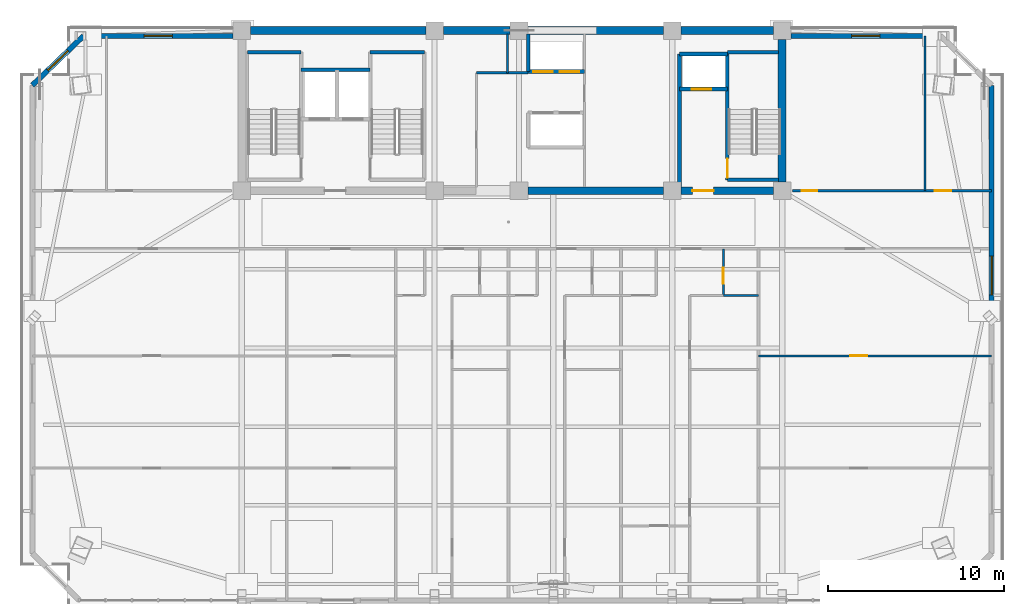
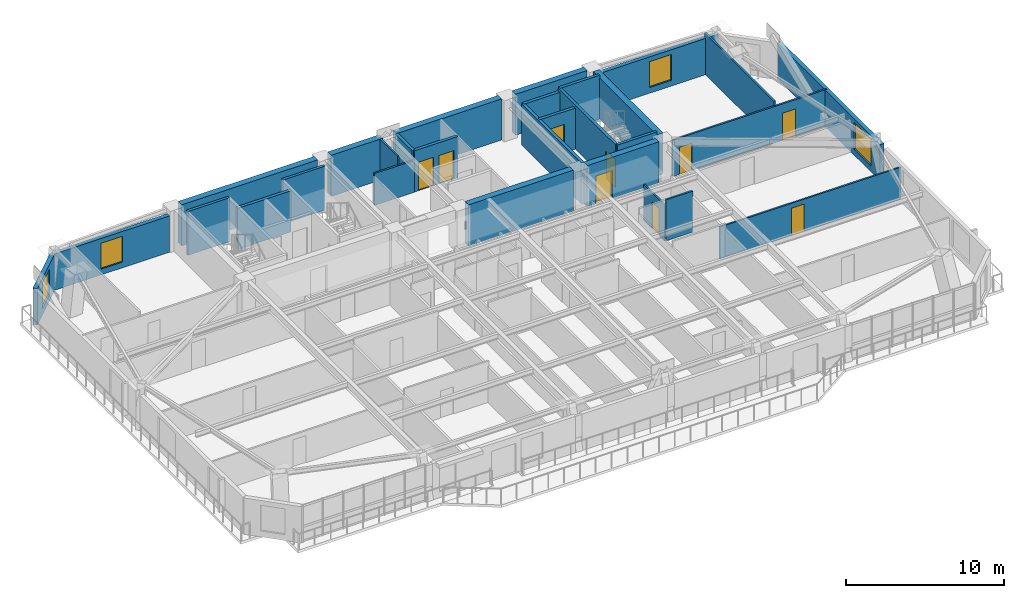
# One storey, part 11 of 18: 29 walls, 9 doors, 4 windows, 13 openings.
"""IFC4 building model written with IfcOpenShell, lengths in metres."""

from ifc_helpers import new_model, si_unit, direction, frame, frame_2d, origin, place, context, subcontext, project, spatial, rectangle, extrude, source, transform, mapped, material, layer, layer_set, type_object, element, fill, save


model = new_model("IFC4")

# Units and contexts
model_context = context("Model", 3, precision=1e-05, world=origin(), true_north=direction((0.0, 1.0)))
body_context = subcontext(model_context, "Body", "Model", "MODEL_VIEW")
ifc_project = project(units=[si_unit("LENGTHUNIT", "METRE"), si_unit("AREAUNIT", "SQUARE_METRE"), si_unit("VOLUMEUNIT", "CUBIC_METRE"), si_unit("PLANEANGLEUNIT", "RADIAN"), si_unit("MASSUNIT", "GRAM", prefix="KILO")], contexts=[model_context])

# Site, building, storey
site_placement = place(None, origin())
site = spatial("IfcSite", under=ifc_project, at=site_placement, CompositionType="ELEMENT")
building_placement = place(site_placement, origin())
building = spatial("IfcBuilding", under=site, at=building_placement, Name="Giltprow Tower", CompositionType="ELEMENT")
storey_placement = place(building_placement, frame((0.0, 0.0, 245.10009765625)))
storey = spatial("IfcBuildingStorey", under=building, at=storey_placement, Name="L62", CompositionType="ELEMENT", Elevation=245.10009765625)

# Wall, opening, window
ifc_material_1 = material(Name="Precast concrete C40", Category="concrete")
ifc_layer_1 = layer(ifc_material_1, 0.300048828125, Name="Precast concrete C40")
ifc_layer_set_1 = layer_set([ifc_layer_1], Name="Precast concrete C40")
wall_type_1 = type_object("IfcWallType", Name="EW-NOTCH-CHAMFER-300", PredefinedType="SOLIDWALL", material=ifc_layer_set_1)
wall_1_placement = place(storey_placement, frame((10.85888671875, 46.25, 0.0), z_axis=(0.0, 0.0, 1.0), x_axis=(-0.719337004509, -0.694661265614, 0.0)))
wall_1 = element("IfcWall", 1, at=wall_1_placement, inside=storey, type_object=wall_type_1, Name="L62 Corner Notch Wall NW", PredefinedType="SOLIDWALL", context=body_context, shape_type="SweptSolid", body=[
    extrude(rectangle(XDim=4.046630859375, YDim=0.300048828125, at=frame_2d((2.0234375, 0.0))), origin(), (0.0, 0.0, 1.0), 2.81494140625),
])
opening_1_placement = place(wall_1_placement, frame((1.222900390625, 0.0, 0.449951171875)))
opening_1 = element("IfcOpeningElement", 2, at=opening_1_placement, cuts=wall_1, Name="Opening WN17", PredefinedType="OPENING", context=body_context, shape_type="SweptSolid", body=[
    extrude(rectangle(XDim=1.60009765625, YDim=2.0, at=frame_2d((0.800048828125, 1.0))), frame((0.0, 0.159912109375, 0.0), z_axis=(0.0, -1.0, 0.0), x_axis=(1.0, 0.0, 0.0)), (0.0, 0.0, 1.0), 0.320068359375),
])
ifc_material_2 = material(Name="Insulated glass", Category="glass")
window_type_1 = type_object("IfcWindowType", Name="WN-COR-1600x2000", PartitioningType="SINGLE_PANEL", PredefinedType="WINDOW", material=ifc_material_2)
shared_shape_1 = source(origin(), body_context, "Body", "SweptSolid", [
    extrude(rectangle(XDim=1.60009765625, YDim=2.0, at=frame_2d((0.800048828125, 1.0))), frame((0.0, 0.030029296875, 0.0), z_axis=(0.0, -1.0, 0.0), x_axis=(1.0, 0.0, 0.0)), (0.0, 0.0, 1.0), 0.06005859375),
])
window_1_placement = place(opening_1_placement, origin())
window_1 = element("IfcWindow", 3, at=window_1_placement, inside=storey, type_object=window_type_1, Name="L62 Corner Notch Window NW", OverallHeight=2.0, OverallWidth=1.60009765625, PartitioningType="SINGLE_PANEL", PredefinedType="WINDOW", context=body_context, shape_type="MappedRepresentation", body=[
    mapped(shared_shape_1, transform((0.0, 0.0, 0.0), x_axis=(1.0, 0.0, 0.0), y_axis=(0.0, 1.0, 0.0), z_axis=(0.0, 0.0, 1.0), scale=1.0)),
])
fill(opening_1, window_1)

ifc_layer_2 = layer(ifc_material_1, 0.280029296875, Name="Precast concrete C40")
ifc_layer_set_2 = layer_set([ifc_layer_2], Name="Precast concrete C40")
wall_type_2 = type_object("IfcWallType", Name="EW-TOW-BRONZE-280", PredefinedType="SOLIDWALL", material=ifc_layer_set_2)
wall_2_placement = place(storey_placement, frame((62.451904296875, 30.39111328125, 0.0), z_axis=(0.0, 0.0, 1.0), x_axis=(0.0, 1.0, 0.0)))
wall_2 = element("IfcWall", 4, at=wall_2_placement, inside=storey, type_object=wall_type_2, Name="L62 E Wing Masonry Wall 2", PredefinedType="SOLIDWALL", context=body_context, shape_type="SweptSolid", body=[
    extrude(rectangle(XDim=13.0478515625, YDim=0.280029296875, at=frame_2d((6.52392578125, 0.0))), origin(), (0.0, 0.0, 1.0), 2.81494140625),
])
opening_2_placement = place(wall_2_placement, frame((1.14404296875, 0.0, 0.449951171875)))
opening_2 = element("IfcOpeningElement", 5, at=opening_2_placement, cuts=wall_2, Name="Opening WN27", PredefinedType="OPENING", context=body_context, shape_type="SweptSolid", body=[
    extrude(rectangle(XDim=2.199951171875, YDim=2.10009765625, at=frame_2d((1.10009765625, 1.050048828125))), frame((0.0, 0.14990234375, 0.0), z_axis=(0.0, -1.0, 0.0), x_axis=(1.0, 0.0, 0.0)), (0.0, 0.0, 1.0), 0.300048828125),
])
window_type_2 = type_object("IfcWindowType", Name="WN-RES-2200x2100", PartitioningType="TRIPLE_PANEL_VERTICAL", PredefinedType="WINDOW", material=ifc_material_2)
shared_shape_2 = source(origin(), body_context, "Body", "SweptSolid", [
    extrude(rectangle(XDim=2.199951171875, YDim=2.10009765625, at=frame_2d((1.10009765625, 1.050048828125))), frame((0.0, 0.030029296875, 0.0), z_axis=(0.0, -1.0, 0.0), x_axis=(1.0, 0.0, 0.0)), (0.0, 0.0, 1.0), 0.06005859375),
])
window_2_placement = place(opening_2_placement, origin())
window_2 = element("IfcWindow", 6, at=window_2_placement, inside=storey, type_object=window_type_2, Name="L62 E Wing Window 2-1", OverallHeight=2.10009765625, OverallWidth=2.199951171875, PartitioningType="SINGLE_PANEL", PredefinedType="WINDOW", context=body_context, shape_type="MappedRepresentation", body=[
    mapped(shared_shape_2, transform((0.0, 0.0, 0.0), x_axis=(1.0, 0.0, 0.0), y_axis=(0.0, 1.0, 0.0), z_axis=(0.0, 0.0, 1.0), scale=1.0)),
])
fill(opening_2, window_2)

wall_3_placement = place(storey_placement, frame((10.85888671875, 46.25, 0.0), z_axis=(0.0, 0.0, 1.0), x_axis=(1.0, 0.0, 0.0)))
wall_3 = element("IfcWall", 7, at=wall_3_placement, inside=storey, type_object=wall_type_2, Name="L62 North-West Wing Wall", PredefinedType="SOLIDWALL", context=body_context, shape_type="SweptSolid", body=[
    extrude(rectangle(XDim=8.4912109375, YDim=0.280029296875, at=frame_2d((4.24560546875, 0.0))), origin(), (0.0, 0.0, 1.0), 2.81494140625),
])
opening_3_placement = place(wall_3_placement, frame((3.446044921875, 0.0, 0.449951171875)))
opening_3 = element("IfcOpeningElement", 8, at=opening_3_placement, cuts=wall_3, Name="Opening WN17", PredefinedType="OPENING", context=body_context, shape_type="SweptSolid", body=[
    extrude(rectangle(XDim=1.60009765625, YDim=2.0, at=frame_2d((0.800048828125, 1.0))), frame((0.0, 0.14990234375, 0.0), z_axis=(0.0, -1.0, 0.0), x_axis=(1.0, 0.0, 0.0)), (0.0, 0.0, 1.0), 0.300048828125),
])
window_3_placement = place(opening_3_placement, origin())
window_3 = element("IfcWindow", 9, at=window_3_placement, inside=storey, type_object=window_type_1, Name="L62 North-West Window", OverallHeight=2.0, OverallWidth=1.60009765625, PartitioningType="SINGLE_PANEL", PredefinedType="WINDOW", context=body_context, shape_type="MappedRepresentation", body=[
    mapped(shared_shape_1, transform((0.0, 0.0, 0.0), x_axis=(1.0, 0.0, 0.0), y_axis=(0.0, 1.0, 0.0), z_axis=(0.0, 0.0, 1.0), scale=1.0)),
])
fill(opening_3, window_3)

wall_4_placement = place(storey_placement, frame((51.050048828125, 46.25, 0.0), z_axis=(0.0, 0.0, 1.0), x_axis=(1.0, 0.0, 0.0)))
wall_4 = element("IfcWall", 10, at=wall_4_placement, inside=storey, type_object=wall_type_2, Name="L62 North-East Wing Wall", PredefinedType="SOLIDWALL", context=body_context, shape_type="SweptSolid", body=[
    extrude(rectangle(XDim=8.490966796875, YDim=0.280029296875, at=frame_2d((4.24560546875, 0.0))), origin(), (0.0, 0.0, 1.0), 2.81494140625),
])
opening_4_placement = place(wall_4_placement, frame((3.446044921875, 0.0, 0.449951171875)))
opening_4 = element("IfcOpeningElement", 11, at=opening_4_placement, cuts=wall_4, Name="Opening WN17", PredefinedType="OPENING", context=body_context, shape_type="SweptSolid", body=[
    extrude(rectangle(XDim=1.60009765625, YDim=2.0, at=frame_2d((0.800048828125, 1.0))), frame((0.0, 0.14990234375, 0.0), z_axis=(0.0, -1.0, 0.0), x_axis=(1.0, 0.0, 0.0)), (0.0, 0.0, 1.0), 0.300048828125),
])
window_4_placement = place(opening_4_placement, origin())
window_4 = element("IfcWindow", 12, at=window_4_placement, inside=storey, type_object=window_type_1, Name="L62 North-East Window", OverallHeight=2.0, OverallWidth=1.60009765625, PartitioningType="SINGLE_PANEL", PredefinedType="WINDOW", context=body_context, shape_type="MappedRepresentation", body=[
    mapped(shared_shape_1, transform((0.0, 0.0, 0.0), x_axis=(1.0, 0.0, 0.0), y_axis=(0.0, 1.0, 0.0), z_axis=(0.0, 0.0, 1.0), scale=1.0)),
])
fill(opening_4, window_4)

# Wall, opening, door
ifc_material_3 = material(Name="Gypsum stud partition", Category="gypsum")
ifc_layer_3 = layer(ifc_material_3, 0.1201171875, Name="Gypsum stud partition")
ifc_layer_set_3 = layer_set([ifc_layer_3], Name="Gypsum stud partition")
wall_type_3 = type_object("IfcWallType", Name="IW-ROOM-120", PredefinedType="PARTITIONING", material=ifc_layer_set_3)
wall_5_placement = place(storey_placement, frame((49.199951171875, 28.068115234375, 0.0), z_axis=(0.0, 0.0, 1.0), x_axis=(1.0, 0.0, 0.0)))
wall_5 = element("IfcWall", 13, at=wall_5_placement, inside=storey, type_object=wall_type_3, Name="L62 Special Split 2", PredefinedType="PARTITIONING", context=body_context, shape_type="SweptSolid", body=[
    extrude(rectangle(XDim=13.251953125, YDim=0.1201171875, at=frame_2d((6.6259765625, 0.0))), origin(), (0.0, 0.0, 1.0), 2.469970703125),
])
opening_5_placement = place(wall_5_placement, frame((5.220947265625, 0.0, 0.0)))
opening_5 = element("IfcOpeningElement", 14, at=opening_5_placement, cuts=wall_5, Name="Opening ID11", PredefinedType="OPENING", context=body_context, shape_type="SweptSolid", body=[
    extrude(rectangle(XDim=0.949951171875, YDim=2.10009765625, at=frame_2d((0.47509765625, 1.050048828125))), frame((0.0, 0.070068359375, 0.0), z_axis=(0.0, -1.0, 0.0), x_axis=(1.0, 0.0, 0.0)), (0.0, 0.0, 1.0), 0.14013671875),
])
ifc_material_4 = material(Name="Engineered timber", Category="wood")
door_type_1 = type_object("IfcDoorType", Name="DR-ROOM-950", OperationType="SINGLE_SWING_RIGHT", PredefinedType="DOOR", material=ifc_material_4)
shared_shape_3 = source(origin(), body_context, "Body", "SweptSolid", [
    extrude(rectangle(XDim=0.949951171875, YDim=2.10009765625, at=frame_2d((0.47509765625, 1.050048828125))), frame((0.0, 0.02490234375, 0.0), z_axis=(0.0, -1.0, 0.0), x_axis=(1.0, 0.0, 0.0)), (0.0, 0.0, 1.0), 0.050048828125),
])
door_1_placement = place(opening_5_placement, origin())
door_1 = element("IfcDoor", 15, at=door_1_placement, inside=storey, type_object=door_type_1, Name="L62 Portfolio Office 3 Mid Door", OperationType="SINGLE_SWING_LEFT", OverallHeight=2.10009765625, OverallWidth=0.949951171875, PredefinedType="DOOR", context=body_context, shape_type="MappedRepresentation", body=[
    mapped(shared_shape_3, transform((0.0, 0.0, 0.0), x_axis=(1.0, 0.0, 0.0), y_axis=(0.0, 1.0, 0.0), z_axis=(0.0, 0.0, 1.0), scale=1.0)),
])
fill(opening_5, door_1)

# Wall
ifc_material_5 = material(Name="Concrete C40", Category="concrete")
ifc_layer_4 = layer(ifc_material_5, 0.219970703125, Name="Concrete C40")
ifc_layer_set_4 = layer_set([ifc_layer_4], Name="Concrete C40")
wall_type_4 = type_object("IfcWallType", Name="IW-SHAFT-220", PredefinedType="SOLIDWALL", material=ifc_layer_set_4)
wall_6_placement = place(storey_placement, frame((23.219970703125, 44.320068359375, 0.0), z_axis=(0.0, 0.0, 1.0), x_axis=(1.0, 0.0, 0.0)))
element("IfcWall", 16, at=wall_6_placement, inside=storey, type_object=wall_type_4, Name="L62 FFL1-SVL1 Back Shaft Wall", PredefinedType="SOLIDWALL", context=body_context, shape_type="SweptSolid", body=[
    extrude(rectangle(XDim=3.919921875, YDim=0.219970703125, at=frame_2d((1.9599609375, 0.0))), origin(), (0.0, 0.0, 1.0), 3.184814453125),
])

# Wall, opening, door
wall_7_placement = place(storey_placement, frame((44.719970703125, 43.219970703125, 0.0), z_axis=(0.0, 0.0, 1.0), x_axis=(1.0, 0.0, 0.0)))
wall_7 = element("IfcWall", 17, at=wall_7_placement, inside=storey, type_object=wall_type_4, Name="L62 FFL2 Front Shaft Wall", PredefinedType="SOLIDWALL", context=body_context, shape_type="SweptSolid", body=[
    extrude(rectangle(XDim=2.719970703125, YDim=0.219970703125, at=frame_2d((1.35986328125, 0.0))), origin(), (0.0, 0.0, 1.0), 3.184814453125),
])
opening_6_placement = place(wall_7_placement, frame((0.699951171875, 0.0, 0.0)))
opening_6 = element("IfcOpeningElement", 18, at=opening_6_placement, cuts=wall_7, Name="Opening LD-11", PredefinedType="OPENING", context=body_context, shape_type="SweptSolid", body=[
    extrude(rectangle(XDim=1.10009765625, YDim=2.199951171875, at=frame_2d((0.550048828125, 1.10009765625))), frame((0.0, 0.119873046875, 0.0), z_axis=(0.0, -1.0, 0.0), x_axis=(1.0, 0.0, 0.0)), (0.0, 0.0, 1.0), 0.239990234375),
])
ifc_material_6 = material(Name="Stainless steel", Category="steel")
door_type_2 = type_object("IfcDoorType", Name="DR-LIFT-LD1100", OperationType="SLIDING_TO_LEFT", PredefinedType="DOOR", material=ifc_material_6)
shared_shape_4 = source(origin(), body_context, "Body", "SweptSolid", [
    extrude(rectangle(XDim=1.10009765625, YDim=2.199951171875, at=frame_2d((0.550048828125, 1.10009765625))), frame((0.0, 0.02490234375, 0.0), z_axis=(0.0, -1.0, 0.0), x_axis=(1.0, 0.0, 0.0)), (0.0, 0.0, 1.0), 0.050048828125),
])
door_2_placement = place(opening_6_placement, origin())
door_2 = element("IfcDoor", 19, at=door_2_placement, inside=storey, type_object=door_type_2, Name="L62 FFL2 Landing Door", OperationType="SLIDING_TO_LEFT", OverallHeight=2.199951171875, OverallWidth=1.10009765625, PredefinedType="DOOR", context=body_context, shape_type="MappedRepresentation", body=[
    mapped(shared_shape_4, transform((0.0, 0.0, 0.0), x_axis=(1.0, 0.0, 0.0), y_axis=(0.0, 1.0, 0.0), z_axis=(0.0, 0.0, 1.0), scale=1.0)),
])
fill(opening_6, door_2)

# Walls
wall_8_placement = place(storey_placement, frame((44.719970703125, 45.219970703125, 0.0), z_axis=(0.0, 0.0, 1.0), x_axis=(1.0, 0.0, 0.0)))
element("IfcWall", 20, at=wall_8_placement, inside=storey, type_object=wall_type_4, Name="L62 FFL2 Back Shaft Wall", PredefinedType="SOLIDWALL", context=body_context, shape_type="SweptSolid", body=[
    extrude(rectangle(XDim=2.719970703125, YDim=0.219970703125, at=frame_2d((1.35986328125, 0.0))), origin(), (0.0, 0.0, 1.0), 3.184814453125),
])
wall_9_placement = place(storey_placement, frame((44.719970703125, 37.655029296875, 0.0), z_axis=(0.0, 0.0, 1.0), x_axis=(0.0, 1.0, 0.0)))
element("IfcWall", 21, at=wall_9_placement, inside=storey, type_object=wall_type_4, Name="L62 East Firefighting Lobby West Wall", PredefinedType="SOLIDWALL", context=body_context, shape_type="SweptSolid", body=[
    extrude(rectangle(XDim=7.56494140625, YDim=0.219970703125, at=frame_2d((3.782470703125, 0.0))), origin(), (0.0, 0.0, 1.0), 3.184814453125),
])

# Wall, openings, doors
wall_10_placement = place(storey_placement, frame((36.1201171875, 44.219970703125, 0.0), z_axis=(0.0, 0.0, 1.0), x_axis=(1.0, 0.0, 0.0)))
wall_10 = element("IfcWall", 22, at=wall_10_placement, inside=storey, type_object=wall_type_4, Name="L62 High-Rise Lift Shaft Front Wall N", PredefinedType="SOLIDWALL", context=body_context, shape_type="SweptSolid", body=[
    extrude(rectangle(XDim=3.199951171875, YDim=0.219970703125, at=frame_2d((1.60009765625, 0.0))), origin(), (0.0, 0.0, 1.0), 3.184814453125),
])
opening_7_placement = place(wall_10_placement, frame((0.300048828125, 0.0, 0.0)))
opening_7 = element("IfcOpeningElement", 23, at=opening_7_placement, cuts=wall_10, Name="Opening LD-11", PredefinedType="OPENING", context=body_context, shape_type="SweptSolid", body=[
    extrude(rectangle(XDim=1.10009765625, YDim=2.199951171875, at=frame_2d((0.550048828125, 1.10009765625))), frame((0.0, 0.119873046875, 0.0), z_axis=(0.0, -1.0, 0.0), x_axis=(1.0, 0.0, 0.0)), (0.0, 0.0, 1.0), 0.239990234375),
])
opening_8_placement = place(wall_10_placement, frame((1.7900390625, 0.0, 0.0)))
opening_8 = element("IfcOpeningElement", 24, at=opening_8_placement, cuts=wall_10, Name="Opening LD-11", PredefinedType="OPENING", context=body_context, shape_type="SweptSolid", body=[
    extrude(rectangle(XDim=1.10009765625, YDim=2.199951171875, at=frame_2d((0.550048828125, 1.10009765625))), frame((0.0, 0.119873046875, 0.0), z_axis=(0.0, -1.0, 0.0), x_axis=(1.0, 0.0, 0.0)), (0.0, 0.0, 1.0), 0.239990234375),
])
door_3_placement = place(opening_7_placement, origin())
door_3 = element("IfcDoor", 25, at=door_3_placement, inside=storey, type_object=door_type_2, Name="L62 PL-H1 Landing Door", OperationType="SLIDING_TO_LEFT", OverallHeight=2.199951171875, OverallWidth=1.10009765625, PredefinedType="DOOR", context=body_context, shape_type="MappedRepresentation", body=[
    mapped(shared_shape_4, transform((0.0, 0.0, 0.0), x_axis=(1.0, 0.0, 0.0), y_axis=(0.0, 1.0, 0.0), z_axis=(0.0, 0.0, 1.0), scale=1.0)),
])
fill(opening_7, door_3)
door_4_placement = place(opening_8_placement, origin())
door_4 = element("IfcDoor", 26, at=door_4_placement, inside=storey, type_object=door_type_2, Name="L62 PL-H2 Landing Door", OperationType="SLIDING_TO_LEFT", OverallHeight=2.199951171875, OverallWidth=1.10009765625, PredefinedType="DOOR", context=body_context, shape_type="MappedRepresentation", body=[
    mapped(shared_shape_4, transform((0.0, 0.0, 0.0), x_axis=(1.0, 0.0, 0.0), y_axis=(0.0, 1.0, 0.0), z_axis=(0.0, 0.0, 1.0), scale=1.0)),
])
fill(opening_8, door_4)

# Walls
wall_11_placement = place(storey_placement, frame((36.1201171875, 44.219970703125, 0.0), z_axis=(0.0, 0.0, 1.0), x_axis=(0.0, 1.0, 0.0)))
element("IfcWall", 27, at=wall_11_placement, inside=storey, type_object=wall_type_4, Name="L62 High-Rise North Lift West Closure", PredefinedType="SOLIDWALL", context=body_context, shape_type="SweptSolid", body=[
    extrude(rectangle(XDim=2.125, YDim=0.219970703125, at=frame_2d((1.0625, 0.0))), origin(), (0.0, 0.0, 1.0), 3.184814453125),
])
ifc_layer_5 = layer(ifc_material_5, 0.199951171875, Name="Concrete C40")
ifc_layer_set_5 = layer_set([ifc_layer_5], Name="Concrete C40")
wall_type_5 = type_object("IfcWallType", Name="IW-STAIR-200", PredefinedType="SOLIDWALL", material=ifc_layer_set_5)
wall_12_placement = place(storey_placement, frame((20.169921875, 45.320068359375, 0.0), z_axis=(0.0, 0.0, 1.0), x_axis=(1.0, 0.0, 0.0)))
element("IfcWall", 28, at=wall_12_placement, inside=storey, type_object=wall_type_5, Name="L62 Stair ST-1 North Bearing Wall", PredefinedType="SOLIDWALL", context=body_context, shape_type="SweptSolid", body=[
    extrude(rectangle(XDim=3.050048828125, YDim=0.199951171875, at=frame_2d((1.52490234375, 0.0))), origin(), (0.0, 0.0, 1.0), 3.39990234375),
])
wall_13_placement = place(storey_placement, frame((27.139892578125, 45.320068359375, 0.0), z_axis=(0.0, 0.0, 1.0), x_axis=(1.0, 0.0, 0.0)))
element("IfcWall", 29, at=wall_13_placement, inside=storey, type_object=wall_type_5, Name="L62 Stair ST-2 North Bearing Wall", PredefinedType="SOLIDWALL", context=body_context, shape_type="SweptSolid", body=[
    extrude(rectangle(XDim=3.080078125, YDim=0.199951171875, at=frame_2d((1.5400390625, 0.0))), origin(), (0.0, 0.0, 1.0), 3.39990234375),
])

# Wall, opening, door
wall_14_placement = place(storey_placement, frame((47.43994140625, 38.070068359375, 0.0), z_axis=(0.0, 0.0, 1.0), x_axis=(0.0, 1.0, 0.0)))
wall_14 = element("IfcWall", 30, at=wall_14_placement, inside=storey, type_object=wall_type_5, Name="L62 Stair ST-3 West Bearing Wall", PredefinedType="SOLIDWALL", context=body_context, shape_type="SweptSolid", body=[
    extrude(rectangle(XDim=7.25, YDim=0.199951171875, at=frame_2d((3.625, 0.0))), origin(), (0.0, 0.0, 1.0), 3.39990234375),
])
opening_9_placement = place(wall_14_placement, frame((0.110107421875, 0.0, 0.0)))
opening_9 = element("IfcOpeningElement", 31, at=opening_9_placement, cuts=wall_14, Name="Opening ID33", PredefinedType="OPENING", context=body_context, shape_type="SweptSolid", body=[
    extrude(rectangle(XDim=1.10009765625, YDim=2.14990234375, at=frame_2d((0.550048828125, 1.074951171875))), frame((0.0, 0.10986328125, 0.0), z_axis=(0.0, -1.0, 0.0), x_axis=(1.0, 0.0, 0.0)), (0.0, 0.0, 1.0), 0.219970703125),
])
ifc_material_7 = material(Name="Steel fire leaf", Category="steel")
door_type_3 = type_object("IfcDoorType", Name="DR-STAIR-1100", OperationType="SINGLE_SWING_LEFT", PredefinedType="DOOR", material=ifc_material_7)
shared_shape_5 = source(origin(), body_context, "Body", "SweptSolid", [
    extrude(rectangle(XDim=1.10009765625, YDim=2.14990234375, at=frame_2d((0.550048828125, 1.074951171875))), frame((0.0, 0.02490234375, 0.0), z_axis=(0.0, -1.0, 0.0), x_axis=(1.0, 0.0, 0.0)), (0.0, 0.0, 1.0), 0.050048828125),
])
door_5_placement = place(opening_9_placement, origin())
door_5 = element("IfcDoor", 32, at=door_5_placement, inside=storey, type_object=door_type_3, Name="L62 Stair ST-3 Fire Door", OperationType="SINGLE_SWING_LEFT", OverallHeight=2.14990234375, OverallWidth=1.10009765625, PredefinedType="DOOR", context=body_context, shape_type="MappedRepresentation", body=[
    mapped(shared_shape_5, transform((0.0, 0.0, 0.0), x_axis=(1.0, 0.0, 0.0), y_axis=(0.0, 1.0, 0.0), z_axis=(0.0, 0.0, 1.0), scale=1.0)),
])
fill(opening_9, door_5)

# Walls
for number, where, z_axis, x_axis, name in (
    (33, (47.43994140625, 45.320068359375, 0.0), (0.0, 0.0, 1.0), (1.0, 0.0, 0.0), "L62 Stair ST-3 North Bearing Wall"),
    (34, (47.43994140625, 38.070068359375, 0.0), (0.0, 0.0, 1.0), (1.0, 0.0, 0.0), "L62 Stair ST-3 South Bearing Wall"),
):
    element("IfcWall", number, at=place(storey_placement, frame(where, z_axis=z_axis, x_axis=x_axis)), inside=storey, type_object=wall_type_5, Name=name, PredefinedType="SOLIDWALL", context=body_context, shape_type="SweptSolid", body=[
        extrude(rectangle(XDim=2.905029296875, YDim=0.199951171875, at=frame_2d((1.45263671875, 0.0))), origin(), (0.0, 0.0, 1.0), 3.39990234375),
    ])
ifc_material_8 = material(Name="Concrete C30", Category="concrete")
ifc_layer_6 = layer(ifc_material_8, 0.1298828125, Name="Concrete C30")
ifc_layer_set_6 = layer_set([ifc_layer_6], Name="Concrete C30")
wall_type_6 = type_object("IfcWallType", Name="IW-WET-130", PredefinedType="PARTITIONING", material=ifc_layer_set_6)
wall_15_placement = place(storey_placement, frame((34.949951171875, 44.14990234375, 0.0), z_axis=(0.0, 0.0, 1.0), x_axis=(0.0, 1.0, 0.0)))
element("IfcWall", 35, at=wall_15_placement, inside=storey, type_object=wall_type_6, Name="L62 Reclaimed West Pocket Wall E", PredefinedType="PARTITIONING", context=body_context, shape_type="SweptSolid", body=[
    extrude(rectangle(XDim=2.195068359375, YDim=0.1298828125, at=frame_2d((1.09765625, 0.0))), origin(), (0.0, 0.0, 1.0), 3.184814453125),
])
wall_16_placement = place(storey_placement, frame((33.179931640625, 44.14990234375, 0.0), z_axis=(0.0, 0.0, 1.0), x_axis=(1.0, 0.0, 0.0)))
element("IfcWall", 36, at=wall_16_placement, inside=storey, type_object=wall_type_6, Name="L62 Reclaimed West Pocket Wall S", PredefinedType="PARTITIONING", context=body_context, shape_type="SweptSolid", body=[
    extrude(rectangle(XDim=2.940185546875, YDim=0.1298828125, at=frame_2d((1.47021484375, 0.0))), origin(), (0.0, 0.0, 1.0), 2.469970703125),
])
wall_17_placement = place(storey_placement, frame((47.2099609375, 31.5, 0.0), z_axis=(0.0, 0.0, 1.0), x_axis=(1.0, 0.0, 0.0)))
element("IfcWall", 37, at=wall_17_placement, inside=storey, type_object=wall_type_6, Name="L62 Unit 3 Bathroom South Wall", PredefinedType="PARTITIONING", context=body_context, shape_type="SweptSolid", body=[
    extrude(rectangle(XDim=1.989990234375, YDim=0.1298828125, at=frame_2d((0.9951171875, 0.0))), origin(), (0.0, 0.0, 1.0), 3.184814453125),
])

# Wall, opening, door
wall_18_placement = place(storey_placement, frame((47.2099609375, 31.5, 0.0), z_axis=(0.0, 0.0, 1.0), x_axis=(0.0, 1.0, 0.0)))
wall_18 = element("IfcWall", 38, at=wall_18_placement, inside=storey, type_object=wall_type_6, Name="L62 Unit 3 Bathroom West Wall", PredefinedType="PARTITIONING", context=body_context, shape_type="SweptSolid", body=[
    extrude(rectangle(XDim=2.64990234375, YDim=0.1298828125, at=frame_2d((1.324951171875, 0.0))), origin(), (0.0, 0.0, 1.0), 2.77001953125),
])
opening_10_placement = place(wall_18_placement, frame((0.669921875, 0.0, 0.0)))
opening_10 = element("IfcOpeningElement", 39, at=opening_10_placement, cuts=wall_18, Name="Opening ID15", PredefinedType="OPENING", context=body_context, shape_type="SweptSolid", body=[
    extrude(rectangle(XDim=0.89990234375, YDim=2.10009765625, at=frame_2d((0.449951171875, 1.050048828125))), frame((0.0, 0.074951171875, 0.0), z_axis=(0.0, -1.0, 0.0), x_axis=(1.0, 0.0, 0.0)), (0.0, 0.0, 1.0), 0.14990234375),
])
door_type_4 = type_object("IfcDoorType", Name="DR-WC-900", OperationType="SINGLE_SWING_LEFT", PredefinedType="DOOR", material=ifc_material_4)
shared_shape_6 = source(origin(), body_context, "Body", "SweptSolid", [
    extrude(rectangle(XDim=0.89990234375, YDim=2.10009765625, at=frame_2d((0.449951171875, 1.050048828125))), frame((0.0, 0.02490234375, 0.0), z_axis=(0.0, -1.0, 0.0), x_axis=(1.0, 0.0, 0.0)), (0.0, 0.0, 1.0), 0.050048828125),
])
door_6_placement = place(opening_10_placement, origin())
door_6 = element("IfcDoor", 40, at=door_6_placement, inside=storey, type_object=door_type_4, Name="L62 Unit 3 Bathroom Door", OperationType="SINGLE_SWING_RIGHT", OverallHeight=2.10009765625, OverallWidth=0.89990234375, PredefinedType="DOOR", context=body_context, shape_type="MappedRepresentation", body=[
    mapped(shared_shape_6, transform((0.0, 0.0, 0.0), x_axis=(1.0, 0.0, 0.0), y_axis=(0.0, 1.0, 0.0), z_axis=(0.0, 0.0, 1.0), scale=1.0)),
])
fill(opening_10, door_6)

# Wall, openings, doors
wall_19_placement = place(storey_placement, frame((51.14990234375, 37.449951171875, 0.0), z_axis=(0.0, 0.0, 1.0), x_axis=(1.0, 0.0, 0.0)))
wall_19 = element("IfcWall", 41, at=wall_19_placement, inside=storey, type_object=wall_type_6, Name="L62 NE Wing South Wall", PredefinedType="PARTITIONING", context=body_context, shape_type="SweptSolid", body=[
    extrude(rectangle(XDim=11.302001953125, YDim=0.1298828125, at=frame_2d((5.65087890625, 0.0))), origin(), (0.0, 0.0, 1.0), 2.81982421875),
])
opening_11_placement = place(wall_19_placement, frame((0.5, 0.0, 0.0)))
opening_11 = element("IfcOpeningElement", 42, at=opening_11_placement, cuts=wall_19, Name="Opening ID15", PredefinedType="OPENING", context=body_context, shape_type="SweptSolid", body=[
    extrude(rectangle(XDim=0.89990234375, YDim=2.10009765625, at=frame_2d((0.449951171875, 1.050048828125))), frame((0.0, 0.074951171875, 0.0), z_axis=(0.0, -1.0, 0.0), x_axis=(1.0, 0.0, 0.0)), (0.0, 0.0, 1.0), 0.14990234375),
])
opening_12_placement = place(wall_19_placement, frame((8.06103515625, 0.0, 0.0)))
opening_12 = element("IfcOpeningElement", 43, at=opening_12_placement, cuts=wall_19, Name="Opening ID11", PredefinedType="OPENING", context=body_context, shape_type="SweptSolid", body=[
    extrude(rectangle(XDim=0.949951171875, YDim=2.10009765625, at=frame_2d((0.47509765625, 1.050048828125))), frame((0.0, 0.074951171875, 0.0), z_axis=(0.0, -1.0, 0.0), x_axis=(1.0, 0.0, 0.0)), (0.0, 0.0, 1.0), 0.14990234375),
])
door_7_placement = place(opening_11_placement, origin())
door_7 = element("IfcDoor", 44, at=door_7_placement, inside=storey, type_object=door_type_4, Name="L62 East Wing Washroom Door", OperationType="SINGLE_SWING_RIGHT", OverallHeight=2.10009765625, OverallWidth=0.89990234375, PredefinedType="DOOR", context=body_context, shape_type="MappedRepresentation", body=[
    mapped(shared_shape_6, transform((0.0, 0.0, 0.0), x_axis=(1.0, 0.0, 0.0), y_axis=(0.0, 1.0, 0.0), z_axis=(0.0, 0.0, 1.0), scale=1.0)),
])
fill(opening_11, door_7)
door_8_placement = place(opening_12_placement, origin())
door_8 = element("IfcDoor", 45, at=door_8_placement, inside=storey, type_object=door_type_1, Name="L62 Residents Reading Lounge Door", OperationType="SINGLE_SWING_RIGHT", OverallHeight=2.10009765625, OverallWidth=0.949951171875, PredefinedType="DOOR", context=body_context, shape_type="MappedRepresentation", body=[
    mapped(shared_shape_3, transform((0.0, 0.0, 0.0), x_axis=(1.0, 0.0, 0.0), y_axis=(0.0, 1.0, 0.0), z_axis=(0.0, 0.0, 1.0), scale=1.0)),
])
fill(opening_12, door_8)

# Walls
wall_20_placement = place(storey_placement, frame((58.660888671875, 37.449951171875, 0.0), z_axis=(0.0, 0.0, 1.0), x_axis=(0.0, 1.0, 0.0)))
element("IfcWall", 46, at=wall_20_placement, inside=storey, type_object=wall_type_6, Name="L62 NE Wing Divider", PredefinedType="PARTITIONING", context=body_context, shape_type="SweptSolid", body=[
    extrude(rectangle(XDim=8.800048828125, YDim=0.1298828125, at=frame_2d((4.39990234375, 0.0))), origin(), (0.0, 0.0, 1.0), 3.184814453125),
])
ifc_material_9 = material(Name="Concrete C50", Category="concrete")
ifc_layer_7 = layer(ifc_material_9, 0.449951171875, Name="Concrete C50")
ifc_layer_set_7 = layer_set([ifc_layer_7], Name="Concrete C50")
wall_type_7 = type_object("IfcWallType", Name="SW-EXT-450-C50", PredefinedType="SHEAR", material=ifc_layer_set_7)
wall_21_placement = place(storey_placement, frame((20.35009765625, 46.550048828125, 0.0), z_axis=(0.0, 0.0, 1.0), x_axis=(1.0, 0.0, 0.0)))
element("IfcWall", 47, at=wall_21_placement, inside=storey, type_object=wall_type_7, Name="L62 North Rear Core Shear Wall 1", PredefinedType="SHEAR", context=body_context, shape_type="SweptSolid", body=[
    extrude(rectangle(XDim=9.949951171875, YDim=0.449951171875, at=frame_2d((4.97509765625, 0.0))), origin(), (0.0, 0.0, 1.0), 3.184814453125),
])
wall_22_placement = place(storey_placement, frame((31.300048828125, 46.550048828125, 0.0), z_axis=(0.0, 0.0, 1.0), x_axis=(1.0, 0.0, 0.0)))
element("IfcWall", 48, at=wall_22_placement, inside=storey, type_object=wall_type_7, Name="L62 North Rear Core Shear Wall 2", PredefinedType="SHEAR", context=body_context, shape_type="SweptSolid", body=[
    extrude(rectangle(XDim=3.800048828125, YDim=0.449951171875, at=frame_2d((1.89990234375, 0.0))), origin(), (0.0, 0.0, 1.0), 3.184814453125),
])
wall_23_placement = place(storey_placement, frame((36.10009765625, 46.550048828125, 0.0), z_axis=(0.0, 0.0, 1.0), x_axis=(1.0, 0.0, 0.0)))
element("IfcWall", 49, at=wall_23_placement, inside=storey, type_object=wall_type_7, Name="L62 North Rear Core Shear Wall 3", PredefinedType="SHEAR", context=body_context, shape_type="SweptSolid", body=[
    extrude(rectangle(XDim=7.699951171875, YDim=0.449951171875, at=frame_2d((3.85009765625, 0.0))), origin(), (0.0, 0.0, 1.0), 3.184814453125),
])
wall_24_placement = place(storey_placement, frame((44.800048828125, 46.550048828125, 0.0), z_axis=(0.0, 0.0, 1.0), x_axis=(1.0, 0.0, 0.0)))
element("IfcWall", 50, at=wall_24_placement, inside=storey, type_object=wall_type_7, Name="L62 North Rear Core Shear Wall 4", PredefinedType="SHEAR", context=body_context, shape_type="SweptSolid", body=[
    extrude(rectangle(XDim=5.25, YDim=0.449951171875, at=frame_2d((2.625, 0.0))), origin(), (0.0, 0.0, 1.0), 3.184814453125),
])
ifc_layer_8 = layer(ifc_material_9, 0.449951171875, Name="Concrete C50")
ifc_layer_set_8 = layer_set([ifc_layer_8], Name="Concrete C50")
wall_type_8 = type_object("IfcWallType", Name="SW-INT-450-C50", PredefinedType="SHEAR", material=ifc_layer_set_8)
wall_25_placement = place(storey_placement, frame((36.10009765625, 37.449951171875, 0.0), z_axis=(0.0, 0.0, 1.0), x_axis=(1.0, 0.0, 0.0)))
element("IfcWall", 51, at=wall_25_placement, inside=storey, type_object=wall_type_8, Name="L62 South Rear Core Shear Wall Mid-East", PredefinedType="SHEAR", context=body_context, shape_type="SweptSolid", body=[
    extrude(rectangle(XDim=7.699951171875, YDim=0.449951171875, at=frame_2d((3.85009765625, 0.0))), origin(), (0.0, 0.0, 1.0), 3.184814453125),
])

# Wall, opening, door
wall_26_placement = place(storey_placement, frame((44.800048828125, 37.449951171875, 0.0), z_axis=(0.0, 0.0, 1.0), x_axis=(1.0, 0.0, 0.0)))
wall_26 = element("IfcWall", 52, at=wall_26_placement, inside=storey, type_object=wall_type_8, Name="L62 South Rear Core Shear Wall East", PredefinedType="SHEAR", context=body_context, shape_type="SweptSolid", body=[
    extrude(rectangle(XDim=5.25, YDim=0.449951171875, at=frame_2d((2.625, 0.0))), origin(), (0.0, 0.0, 1.0), 3.184814453125),
])
opening_13_placement = place(wall_26_placement, frame((0.64990234375, 0.0, 0.0)))
opening_13 = element("IfcOpeningElement", 53, at=opening_13_placement, cuts=wall_26, Name="Opening ID19", PredefinedType="OPENING", context=body_context, shape_type="SweptSolid", body=[
    extrude(rectangle(XDim=1.199951171875, YDim=2.14990234375, at=frame_2d((0.60009765625, 1.074951171875))), frame((0.0, 0.23486328125, 0.0), z_axis=(0.0, -1.0, 0.0), x_axis=(1.0, 0.0, 0.0)), (0.0, 0.0, 1.0), 0.469970703125),
])
door_type_5 = type_object("IfcDoorType", Name="DR-FFLOBBY-1200", OperationType="SINGLE_SWING_RIGHT", PredefinedType="DOOR", material=ifc_material_7)
shared_shape_7 = source(origin(), body_context, "Body", "SweptSolid", [
    extrude(rectangle(XDim=1.199951171875, YDim=2.14990234375, at=frame_2d((0.60009765625, 1.074951171875))), frame((0.0, 0.02490234375, 0.0), z_axis=(0.0, -1.0, 0.0), x_axis=(1.0, 0.0, 0.0)), (0.0, 0.0, 1.0), 0.050048828125),
])
door_9_placement = place(opening_13_placement, origin())
door_9 = element("IfcDoor", 54, at=door_9_placement, inside=storey, type_object=door_type_5, Name="L62 East Firefighting Lobby Entry Door", OperationType="SINGLE_SWING_RIGHT", OverallHeight=2.14990234375, OverallWidth=1.199951171875, PredefinedType="DOOR", context=body_context, shape_type="MappedRepresentation", body=[
    mapped(shared_shape_7, transform((0.0, 0.0, 0.0), x_axis=(1.0, 0.0, 0.0), y_axis=(0.0, 1.0, 0.0), z_axis=(0.0, 0.0, 1.0), scale=1.0)),
])
fill(opening_13, door_9)

# Wall
wall_27_placement = place(storey_placement, frame((50.550048828125, 37.949951171875, 0.0), z_axis=(0.0, 0.0, 1.0), x_axis=(0.0, 1.0, 0.0)))
element("IfcWall", 55, at=wall_27_placement, inside=storey, type_object=wall_type_8, Name="L62 E Rear Core Shear Wall", PredefinedType="SHEAR", context=body_context, shape_type="SweptSolid", body=[
    extrude(rectangle(XDim=8.10009765625, YDim=0.449951171875, at=frame_2d((4.050048828125, 0.0))), origin(), (0.0, 0.0, 1.0), 3.184814453125),
])

save(model, "model.ifc")
